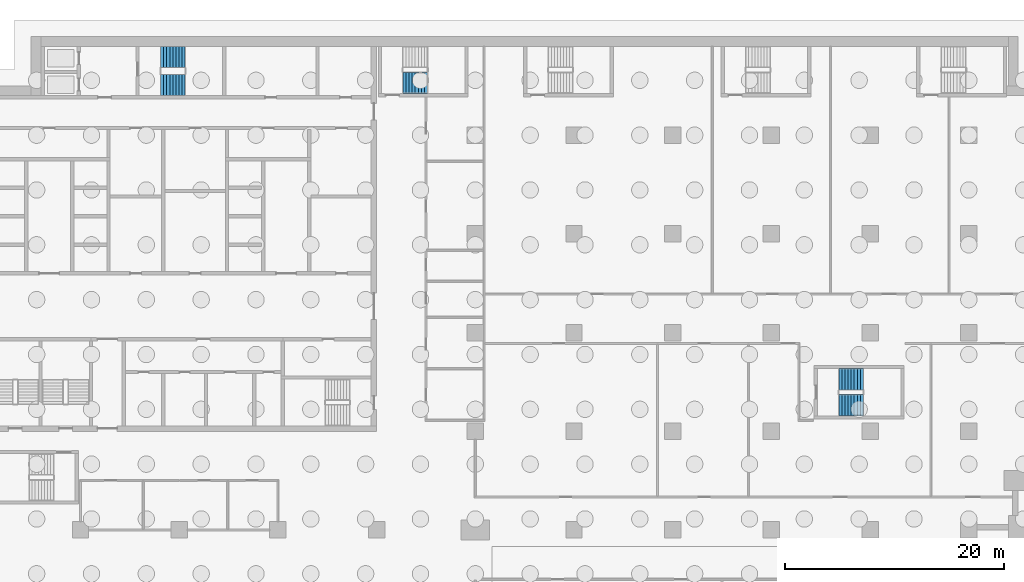
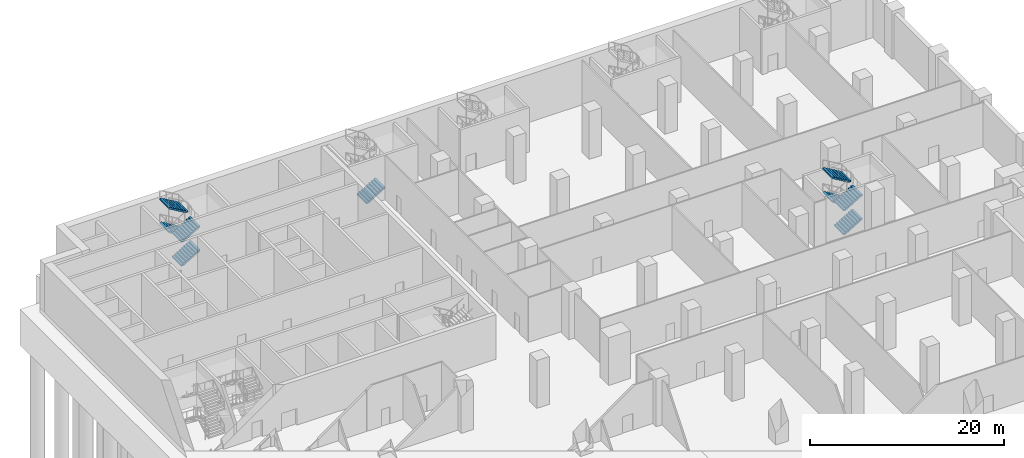
# One storey, part 14 of 25: 9 stair flights, 3 elements without a shape of their own.
"""IFC4 building model written with IfcOpenShell, lengths in metres."""

from ifc_helpers import new_model, si_unit, direction, frame, origin, place, context, subcontext, project, spatial, polyline, outline, extrude, material, type_object, element, aggregate, save


model = new_model("IFC4")

# Units and contexts
model_context = context("Model", 3, precision=1e-05, world=origin(), true_north=direction((0.0, 1.0)))
body_context = subcontext(model_context, "Body", "Model", "MODEL_VIEW")
ifc_project = project(units=[si_unit("LENGTHUNIT", "METRE"), si_unit("AREAUNIT", "SQUARE_METRE"), si_unit("VOLUMEUNIT", "CUBIC_METRE"), si_unit("PLANEANGLEUNIT", "RADIAN"), si_unit("MASSUNIT", "GRAM", prefix="KILO")], contexts=[model_context])

# Site, building, storey
site_placement = place(None, origin())
site = spatial("IfcSite", under=ifc_project, at=site_placement, CompositionType="ELEMENT")
building_placement = place(site_placement, origin())
building = spatial("IfcBuilding", under=site, at=building_placement, Name="Hunhe Ridgeline Campus", CompositionType="ELEMENT")
storey_placement = place(building_placement, frame((0.0, 0.0, -6.0)))
storey = spatial("IfcBuildingStorey", under=building, at=storey_placement, Name="B1", CompositionType="ELEMENT", Elevation=-6.0)

# Stair, stair flights
ifc_material = material(Name="Concrete C40", Category="concrete")
stair_type = type_object("IfcStairType", Name="Reinforced concrete dog-leg stair 1950 Concrete C40", PredefinedType="HALF_TURN_STAIR", material=ifc_material)
stair_1_placement = place(storey_placement, origin())
stair_1 = element("IfcStair", 1, at=stair_1_placement, inside=storey, type_object=stair_type, Name="B1 S1", PredefinedType="HALF_TURN_STAIR")
stair_flight_type = type_object("IfcStairFlightType", Name="Reinforced concrete stair flight 1950 Concrete C40", PredefinedType="STRAIGHT", material=ifc_material)
stair_flight_1_placement = place(storey_placement, frame((16.300048828125, 94.574951171875, 0.0), z_axis=(0.0, 0.0, 1.0), x_axis=(1.0, 0.0, 0.0)))
stair_flight_1 = element("IfcStairFlight", 2, at=stair_flight_1_placement, type_object=stair_flight_type, Name="ST1 flight 1", NumberOfRisers=9, NumberOfTreads=8, PredefinedType="STRAIGHT", RiserHeight=0.166666667, TreadLength=0.28, context=body_context, shape_type="SweptSolid", body=[
    extrude(outline(polyline([(0.0, 0.0), (0.0, 0.166748046875), (0.280029296875, 0.166748046875), (0.280029296875, 0.333251953125), (0.56005859375, 0.333251953125), (0.56005859375, 0.5), (0.840087890625, 0.5), (0.840087890625, 0.666748046875), (1.1201171875, 0.666748046875), (1.1201171875, 0.833251953125), (1.39990234375, 0.833251953125), (1.39990234375, 1.0), (1.679931640625, 1.0), (1.679931640625, 1.166748046875), (1.9599609375, 1.166748046875), (1.9599609375, 1.333251953125), (2.239990234375, 1.333251953125), (2.239990234375, 1.5), (2.239990234375, 1.158935546875), (0.29296875, 0.0), (0.0, 0.0)])), frame((0.0, 0.97509765625, 0.0), z_axis=(0.0, -1.0, 0.0), x_axis=(1.0, 0.0, 0.0)), (0.0, 0.0, 1.0), 1.949951171875),
    extrude(outline(polyline([(0.030029296875, 0.030029296875), (0.030029296875, 0.13671875), (0.31005859375, 0.13671875), (0.31005859375, 0.30322265625), (0.590087890625, 0.30322265625), (0.590087890625, 0.469970703125), (0.8701171875, 0.469970703125), (0.8701171875, 0.63671875), (1.14990234375, 0.63671875), (1.14990234375, 0.80322265625), (1.429931640625, 0.80322265625), (1.429931640625, 0.969970703125), (1.7099609375, 0.969970703125), (1.7099609375, 1.13671875), (1.989990234375, 1.13671875), (1.989990234375, 1.30322265625), (2.2099609375, 1.30322265625), (2.2099609375, 1.17578125), (0.284912109375, 0.030029296875), (0.030029296875, 0.030029296875)])), frame((0.0, -0.070068359375, 0.0), z_axis=(0.0, -1.0, 0.0), x_axis=(1.0, 0.0, 0.0)), (0.0, 0.0, 1.0), 0.019775390625),
    extrude(outline(polyline([(0.030029296875, 0.030029296875), (0.030029296875, 0.13671875), (0.31005859375, 0.13671875), (0.31005859375, 0.30322265625), (0.590087890625, 0.30322265625), (0.590087890625, 0.469970703125), (0.8701171875, 0.469970703125), (0.8701171875, 0.63671875), (1.14990234375, 0.63671875), (1.14990234375, 0.80322265625), (1.429931640625, 0.80322265625), (1.429931640625, 0.969970703125), (1.7099609375, 0.969970703125), (1.7099609375, 1.13671875), (1.989990234375, 1.13671875), (1.989990234375, 1.30322265625), (2.2099609375, 1.30322265625), (2.2099609375, 1.17578125), (0.284912109375, 0.030029296875), (0.030029296875, 0.030029296875)])), frame((0.0, 0.010009765625, 0.0), z_axis=(0.0, -1.0, 0.0), x_axis=(1.0, 0.0, 0.0)), (0.0, 0.0, 1.0), 0.019775390625),
    extrude(outline(polyline([(0.030029296875, 0.030029296875), (0.030029296875, 0.13671875), (0.31005859375, 0.13671875), (0.31005859375, 0.30322265625), (0.590087890625, 0.30322265625), (0.590087890625, 0.469970703125), (0.8701171875, 0.469970703125), (0.8701171875, 0.63671875), (1.14990234375, 0.63671875), (1.14990234375, 0.80322265625), (1.429931640625, 0.80322265625), (1.429931640625, 0.969970703125), (1.7099609375, 0.969970703125), (1.7099609375, 1.13671875), (1.989990234375, 1.13671875), (1.989990234375, 1.30322265625), (2.2099609375, 1.30322265625), (2.2099609375, 1.17578125), (0.284912109375, 0.030029296875), (0.030029296875, 0.030029296875)])), frame((0.0, 0.090087890625, 0.0), z_axis=(0.0, -1.0, 0.0), x_axis=(1.0, 0.0, 0.0)), (0.0, 0.0, 1.0), 0.019775390625),
])
stair_flight_2_placement = place(storey_placement, frame((18.5400390625, 97.125, 1.5), z_axis=(0.0, 0.0, 1.0), x_axis=(-1.0, 0.0, 0.0)))
stair_flight_2 = element("IfcStairFlight", 3, at=stair_flight_2_placement, type_object=stair_flight_type, Name="ST1 flight 2", NumberOfRisers=9, NumberOfTreads=8, PredefinedType="STRAIGHT", RiserHeight=0.166666667, TreadLength=0.28, context=body_context, shape_type="SweptSolid", body=[
    extrude(outline(polyline([(0.0, 0.0), (0.0, 0.166748046875), (0.280029296875, 0.166748046875), (0.280029296875, 0.333251953125), (0.56005859375, 0.333251953125), (0.56005859375, 0.5), (0.840087890625, 0.5), (0.840087890625, 0.666748046875), (1.1201171875, 0.666748046875), (1.1201171875, 0.833251953125), (1.39990234375, 0.833251953125), (1.39990234375, 1.0), (1.679931640625, 1.0), (1.679931640625, 1.166748046875), (1.9599609375, 1.166748046875), (1.9599609375, 1.333251953125), (2.239990234375, 1.333251953125), (2.239990234375, 1.5), (2.239990234375, 1.158935546875), (0.29296875, 0.0), (0.0, 0.0)])), frame((0.0, 0.97509765625, 0.0), z_axis=(0.0, -1.0, 0.0), x_axis=(1.0, 0.0, 0.0)), (0.0, 0.0, 1.0), 1.949951171875),
    extrude(outline(polyline([(0.030029296875, 0.030029296875), (0.030029296875, 0.13671875), (0.31005859375, 0.13671875), (0.31005859375, 0.30322265625), (0.590087890625, 0.30322265625), (0.590087890625, 0.469970703125), (0.8701171875, 0.469970703125), (0.8701171875, 0.63671875), (1.14990234375, 0.63671875), (1.14990234375, 0.80322265625), (1.429931640625, 0.80322265625), (1.429931640625, 0.969970703125), (1.7099609375, 0.969970703125), (1.7099609375, 1.13671875), (1.989990234375, 1.13671875), (1.989990234375, 1.30322265625), (2.2099609375, 1.30322265625), (2.2099609375, 1.17578125), (0.284912109375, 0.030029296875), (0.030029296875, 0.030029296875)])), frame((0.0, -0.070068359375, 0.0), z_axis=(0.0, -1.0, 0.0), x_axis=(1.0, 0.0, 0.0)), (0.0, 0.0, 1.0), 0.019775390625),
    extrude(outline(polyline([(0.030029296875, 0.030029296875), (0.030029296875, 0.13671875), (0.31005859375, 0.13671875), (0.31005859375, 0.30322265625), (0.590087890625, 0.30322265625), (0.590087890625, 0.469970703125), (0.8701171875, 0.469970703125), (0.8701171875, 0.63671875), (1.14990234375, 0.63671875), (1.14990234375, 0.80322265625), (1.429931640625, 0.80322265625), (1.429931640625, 0.969970703125), (1.7099609375, 0.969970703125), (1.7099609375, 1.13671875), (1.989990234375, 1.13671875), (1.989990234375, 1.30322265625), (2.2099609375, 1.30322265625), (2.2099609375, 1.17578125), (0.284912109375, 0.030029296875), (0.030029296875, 0.030029296875)])), frame((0.0, 0.010009765625, 0.0), z_axis=(0.0, -1.0, 0.0), x_axis=(1.0, 0.0, 0.0)), (0.0, 0.0, 1.0), 0.019775390625),
    extrude(outline(polyline([(0.030029296875, 0.030029296875), (0.030029296875, 0.13671875), (0.31005859375, 0.13671875), (0.31005859375, 0.30322265625), (0.590087890625, 0.30322265625), (0.590087890625, 0.469970703125), (0.8701171875, 0.469970703125), (0.8701171875, 0.63671875), (1.14990234375, 0.63671875), (1.14990234375, 0.80322265625), (1.429931640625, 0.80322265625), (1.429931640625, 0.969970703125), (1.7099609375, 0.969970703125), (1.7099609375, 1.13671875), (1.989990234375, 1.13671875), (1.989990234375, 1.30322265625), (2.2099609375, 1.30322265625), (2.2099609375, 1.17578125), (0.284912109375, 0.030029296875), (0.030029296875, 0.030029296875)])), frame((0.0, 0.090087890625, 0.0), z_axis=(0.0, -1.0, 0.0), x_axis=(1.0, 0.0, 0.0)), (0.0, 0.0, 1.0), 0.019775390625),
])
stair_flight_3_placement = place(storey_placement, frame((16.300048828125, 94.574951171875, 3.0), z_axis=(0.0, 0.0, 1.0), x_axis=(1.0, 0.0, 0.0)))
stair_flight_3 = element("IfcStairFlight", 4, at=stair_flight_3_placement, type_object=stair_flight_type, Name="ST1 flight 3", NumberOfRisers=9, NumberOfTreads=8, PredefinedType="STRAIGHT", RiserHeight=0.166666667, TreadLength=0.28, context=body_context, shape_type="SweptSolid", body=[
    extrude(outline(polyline([(0.0, 0.0), (0.0, 0.166748046875), (0.280029296875, 0.166748046875), (0.280029296875, 0.333251953125), (0.56005859375, 0.333251953125), (0.56005859375, 0.5), (0.840087890625, 0.5), (0.840087890625, 0.666748046875), (1.1201171875, 0.666748046875), (1.1201171875, 0.833251953125), (1.39990234375, 0.833251953125), (1.39990234375, 1.0), (1.679931640625, 1.0), (1.679931640625, 1.166748046875), (1.9599609375, 1.166748046875), (1.9599609375, 1.333251953125), (2.239990234375, 1.333251953125), (2.239990234375, 1.5), (2.239990234375, 1.158935546875), (0.29296875, 0.0), (0.0, 0.0)])), frame((0.0, 0.97509765625, 0.0), z_axis=(0.0, -1.0, 0.0), x_axis=(1.0, 0.0, 0.0)), (0.0, 0.0, 1.0), 1.949951171875),
    extrude(outline(polyline([(0.030029296875, 0.030029296875), (0.030029296875, 0.13671875), (0.31005859375, 0.13671875), (0.31005859375, 0.30322265625), (0.590087890625, 0.30322265625), (0.590087890625, 0.469970703125), (0.8701171875, 0.469970703125), (0.8701171875, 0.63671875), (1.14990234375, 0.63671875), (1.14990234375, 0.80322265625), (1.429931640625, 0.80322265625), (1.429931640625, 0.969970703125), (1.7099609375, 0.969970703125), (1.7099609375, 1.13671875), (1.989990234375, 1.13671875), (1.989990234375, 1.30322265625), (2.2099609375, 1.30322265625), (2.2099609375, 1.17578125), (0.284912109375, 0.030029296875), (0.030029296875, 0.030029296875)])), frame((0.0, -0.070068359375, 0.0), z_axis=(0.0, -1.0, 0.0), x_axis=(1.0, 0.0, 0.0)), (0.0, 0.0, 1.0), 0.019775390625),
    extrude(outline(polyline([(0.030029296875, 0.030029296875), (0.030029296875, 0.13671875), (0.31005859375, 0.13671875), (0.31005859375, 0.30322265625), (0.590087890625, 0.30322265625), (0.590087890625, 0.469970703125), (0.8701171875, 0.469970703125), (0.8701171875, 0.63671875), (1.14990234375, 0.63671875), (1.14990234375, 0.80322265625), (1.429931640625, 0.80322265625), (1.429931640625, 0.969970703125), (1.7099609375, 0.969970703125), (1.7099609375, 1.13671875), (1.989990234375, 1.13671875), (1.989990234375, 1.30322265625), (2.2099609375, 1.30322265625), (2.2099609375, 1.17578125), (0.284912109375, 0.030029296875), (0.030029296875, 0.030029296875)])), frame((0.0, 0.010009765625, 0.0), z_axis=(0.0, -1.0, 0.0), x_axis=(1.0, 0.0, 0.0)), (0.0, 0.0, 1.0), 0.019775390625),
    extrude(outline(polyline([(0.030029296875, 0.030029296875), (0.030029296875, 0.13671875), (0.31005859375, 0.13671875), (0.31005859375, 0.30322265625), (0.590087890625, 0.30322265625), (0.590087890625, 0.469970703125), (0.8701171875, 0.469970703125), (0.8701171875, 0.63671875), (1.14990234375, 0.63671875), (1.14990234375, 0.80322265625), (1.429931640625, 0.80322265625), (1.429931640625, 0.969970703125), (1.7099609375, 0.969970703125), (1.7099609375, 1.13671875), (1.989990234375, 1.13671875), (1.989990234375, 1.30322265625), (2.2099609375, 1.30322265625), (2.2099609375, 1.17578125), (0.284912109375, 0.030029296875), (0.030029296875, 0.030029296875)])), frame((0.0, 0.090087890625, 0.0), z_axis=(0.0, -1.0, 0.0), x_axis=(1.0, 0.0, 0.0)), (0.0, 0.0, 1.0), 0.019775390625),
])
stair_flight_4_placement = place(storey_placement, frame((18.5400390625, 97.125, 4.5), z_axis=(0.0, 0.0, 1.0), x_axis=(-1.0, 0.0, 0.0)))
stair_flight_4 = element("IfcStairFlight", 5, at=stair_flight_4_placement, type_object=stair_flight_type, Name="ST1 flight 4", NumberOfRisers=9, NumberOfTreads=8, PredefinedType="STRAIGHT", RiserHeight=0.166666667, TreadLength=0.28, context=body_context, shape_type="SweptSolid", body=[
    extrude(outline(polyline([(0.0, 0.0), (0.0, 0.166748046875), (0.280029296875, 0.166748046875), (0.280029296875, 0.333251953125), (0.56005859375, 0.333251953125), (0.56005859375, 0.5), (0.840087890625, 0.5), (0.840087890625, 0.666748046875), (1.1201171875, 0.666748046875), (1.1201171875, 0.833251953125), (1.39990234375, 0.833251953125), (1.39990234375, 1.0), (1.679931640625, 1.0), (1.679931640625, 1.166748046875), (1.9599609375, 1.166748046875), (1.9599609375, 1.333251953125), (2.239990234375, 1.333251953125), (2.239990234375, 1.5), (2.239990234375, 1.158935546875), (0.29296875, 0.0), (0.0, 0.0)])), frame((0.0, 0.97509765625, 0.0), z_axis=(0.0, -1.0, 0.0), x_axis=(1.0, 0.0, 0.0)), (0.0, 0.0, 1.0), 1.949951171875),
    extrude(outline(polyline([(0.030029296875, 0.030029296875), (0.030029296875, 0.13671875), (0.31005859375, 0.13671875), (0.31005859375, 0.30322265625), (0.590087890625, 0.30322265625), (0.590087890625, 0.469970703125), (0.8701171875, 0.469970703125), (0.8701171875, 0.63671875), (1.14990234375, 0.63671875), (1.14990234375, 0.80322265625), (1.429931640625, 0.80322265625), (1.429931640625, 0.969970703125), (1.7099609375, 0.969970703125), (1.7099609375, 1.13671875), (1.989990234375, 1.13671875), (1.989990234375, 1.30322265625), (2.2099609375, 1.30322265625), (2.2099609375, 1.17578125), (0.284912109375, 0.030029296875), (0.030029296875, 0.030029296875)])), frame((0.0, -0.070068359375, 0.0), z_axis=(0.0, -1.0, 0.0), x_axis=(1.0, 0.0, 0.0)), (0.0, 0.0, 1.0), 0.019775390625),
    extrude(outline(polyline([(0.030029296875, 0.030029296875), (0.030029296875, 0.13671875), (0.31005859375, 0.13671875), (0.31005859375, 0.30322265625), (0.590087890625, 0.30322265625), (0.590087890625, 0.469970703125), (0.8701171875, 0.469970703125), (0.8701171875, 0.63671875), (1.14990234375, 0.63671875), (1.14990234375, 0.80322265625), (1.429931640625, 0.80322265625), (1.429931640625, 0.969970703125), (1.7099609375, 0.969970703125), (1.7099609375, 1.13671875), (1.989990234375, 1.13671875), (1.989990234375, 1.30322265625), (2.2099609375, 1.30322265625), (2.2099609375, 1.17578125), (0.284912109375, 0.030029296875), (0.030029296875, 0.030029296875)])), frame((0.0, 0.010009765625, 0.0), z_axis=(0.0, -1.0, 0.0), x_axis=(1.0, 0.0, 0.0)), (0.0, 0.0, 1.0), 0.019775390625),
    extrude(outline(polyline([(0.030029296875, 0.030029296875), (0.030029296875, 0.13671875), (0.31005859375, 0.13671875), (0.31005859375, 0.30322265625), (0.590087890625, 0.30322265625), (0.590087890625, 0.469970703125), (0.8701171875, 0.469970703125), (0.8701171875, 0.63671875), (1.14990234375, 0.63671875), (1.14990234375, 0.80322265625), (1.429931640625, 0.80322265625), (1.429931640625, 0.969970703125), (1.7099609375, 0.969970703125), (1.7099609375, 1.13671875), (1.989990234375, 1.13671875), (1.989990234375, 1.30322265625), (2.2099609375, 1.30322265625), (2.2099609375, 1.17578125), (0.284912109375, 0.030029296875), (0.030029296875, 0.030029296875)])), frame((0.0, 0.090087890625, 0.0), z_axis=(0.0, -1.0, 0.0), x_axis=(1.0, 0.0, 0.0)), (0.0, 0.0, 1.0), 0.019775390625),
])
aggregate(stair_1, [stair_flight_1, stair_flight_2, stair_flight_3, stair_flight_4])

# Stair, stair flight
stair_2_placement = place(storey_placement, origin())
stair_2 = element("IfcStair", 6, at=stair_2_placement, inside=storey, type_object=stair_type, Name="B1 E1", PredefinedType="HALF_TURN_STAIR")
stair_flight_5_placement = place(storey_placement, frame((38.39990234375, 94.77490234375, 0.0), z_axis=(0.0, 0.0, 1.0), x_axis=(1.0, 0.0, 0.0)))
stair_flight_5 = element("IfcStairFlight", 7, at=stair_flight_5_placement, type_object=stair_flight_type, Name="ST5 flight 1", NumberOfRisers=9, NumberOfTreads=8, PredefinedType="STRAIGHT", RiserHeight=0.166666667, TreadLength=0.28, context=body_context, shape_type="SweptSolid", body=[
    extrude(outline(polyline([(0.0, 0.0), (0.0, 0.166748046875), (0.280029296875, 0.166748046875), (0.280029296875, 0.333251953125), (0.56005859375, 0.333251953125), (0.56005859375, 0.5), (0.840087890625, 0.5), (0.840087890625, 0.666748046875), (1.1201171875, 0.666748046875), (1.1201171875, 0.833251953125), (1.39990234375, 0.833251953125), (1.39990234375, 1.0), (1.679931640625, 1.0), (1.679931640625, 1.166748046875), (1.9599609375, 1.166748046875), (1.9599609375, 1.333251953125), (2.239990234375, 1.333251953125), (2.239990234375, 1.5), (2.239990234375, 1.158935546875), (0.29296875, 0.0), (0.0, 0.0)])), frame((0.0, 0.97509765625, 0.0), z_axis=(0.0, -1.0, 0.0), x_axis=(1.0, 0.0, 0.0)), (0.0, 0.0, 1.0), 1.949951171875),
    extrude(outline(polyline([(0.030029296875, 0.030029296875), (0.030029296875, 0.13671875), (0.31005859375, 0.13671875), (0.31005859375, 0.30322265625), (0.590087890625, 0.30322265625), (0.590087890625, 0.469970703125), (0.8701171875, 0.469970703125), (0.8701171875, 0.63671875), (1.14990234375, 0.63671875), (1.14990234375, 0.80322265625), (1.429931640625, 0.80322265625), (1.429931640625, 0.969970703125), (1.7099609375, 0.969970703125), (1.7099609375, 1.13671875), (1.989990234375, 1.13671875), (1.989990234375, 1.30322265625), (2.2099609375, 1.30322265625), (2.2099609375, 1.17578125), (0.284912109375, 0.030029296875), (0.030029296875, 0.030029296875)])), frame((0.0, -0.070068359375, 0.0), z_axis=(0.0, -1.0, 0.0), x_axis=(1.0, 0.0, 0.0)), (0.0, 0.0, 1.0), 0.019775390625),
    extrude(outline(polyline([(0.030029296875, 0.030029296875), (0.030029296875, 0.13671875), (0.31005859375, 0.13671875), (0.31005859375, 0.30322265625), (0.590087890625, 0.30322265625), (0.590087890625, 0.469970703125), (0.8701171875, 0.469970703125), (0.8701171875, 0.63671875), (1.14990234375, 0.63671875), (1.14990234375, 0.80322265625), (1.429931640625, 0.80322265625), (1.429931640625, 0.969970703125), (1.7099609375, 0.969970703125), (1.7099609375, 1.13671875), (1.989990234375, 1.13671875), (1.989990234375, 1.30322265625), (2.2099609375, 1.30322265625), (2.2099609375, 1.17578125), (0.284912109375, 0.030029296875), (0.030029296875, 0.030029296875)])), frame((0.0, 0.010009765625, 0.0), z_axis=(0.0, -1.0, 0.0), x_axis=(1.0, 0.0, 0.0)), (0.0, 0.0, 1.0), 0.019775390625),
    extrude(outline(polyline([(0.030029296875, 0.030029296875), (0.030029296875, 0.13671875), (0.31005859375, 0.13671875), (0.31005859375, 0.30322265625), (0.590087890625, 0.30322265625), (0.590087890625, 0.469970703125), (0.8701171875, 0.469970703125), (0.8701171875, 0.63671875), (1.14990234375, 0.63671875), (1.14990234375, 0.80322265625), (1.429931640625, 0.80322265625), (1.429931640625, 0.969970703125), (1.7099609375, 0.969970703125), (1.7099609375, 1.13671875), (1.989990234375, 1.13671875), (1.989990234375, 1.30322265625), (2.2099609375, 1.30322265625), (2.2099609375, 1.17578125), (0.284912109375, 0.030029296875), (0.030029296875, 0.030029296875)])), frame((0.0, 0.090087890625, 0.0), z_axis=(0.0, -1.0, 0.0), x_axis=(1.0, 0.0, 0.0)), (0.0, 0.0, 1.0), 0.019775390625),
])
aggregate(stair_2, [stair_flight_5])

# Stair, stair flights
stair_3_placement = place(storey_placement, origin())
stair_3 = element("IfcStair", 8, at=stair_3_placement, inside=storey, type_object=stair_type, Name="B1 E5", PredefinedType="HALF_TURN_STAIR")
stair_flight_6_placement = place(storey_placement, frame((78.14990234375, 65.375, 0.0), z_axis=(0.0, 0.0, 1.0), x_axis=(1.0, 0.0, 0.0)))
stair_flight_6 = element("IfcStairFlight", 9, at=stair_flight_6_placement, type_object=stair_flight_type, Name="ST10 flight 1", NumberOfRisers=9, NumberOfTreads=8, PredefinedType="STRAIGHT", RiserHeight=0.166666667, TreadLength=0.28, context=body_context, shape_type="SweptSolid", body=[
    extrude(outline(polyline([(0.0, 0.0), (0.0, 0.166748046875), (0.280029296875, 0.166748046875), (0.280029296875, 0.333251953125), (0.56005859375, 0.333251953125), (0.56005859375, 0.5), (0.840087890625, 0.5), (0.840087890625, 0.666748046875), (1.1201171875, 0.666748046875), (1.1201171875, 0.833251953125), (1.39990234375, 0.833251953125), (1.39990234375, 1.0), (1.679931640625, 1.0), (1.679931640625, 1.166748046875), (1.9599609375, 1.166748046875), (1.9599609375, 1.333251953125), (2.239990234375, 1.333251953125), (2.239990234375, 1.5), (2.239990234375, 1.158935546875), (0.29296875, 0.0), (0.0, 0.0)])), frame((0.0, 0.97509765625, 0.0), z_axis=(0.0, -1.0, 0.0), x_axis=(1.0, 0.0, 0.0)), (0.0, 0.0, 1.0), 1.949951171875),
    extrude(outline(polyline([(0.030029296875, 0.030029296875), (0.030029296875, 0.13671875), (0.31005859375, 0.13671875), (0.31005859375, 0.30322265625), (0.590087890625, 0.30322265625), (0.590087890625, 0.469970703125), (0.8701171875, 0.469970703125), (0.8701171875, 0.63671875), (1.14990234375, 0.63671875), (1.14990234375, 0.80322265625), (1.429931640625, 0.80322265625), (1.429931640625, 0.969970703125), (1.7099609375, 0.969970703125), (1.7099609375, 1.13671875), (1.989990234375, 1.13671875), (1.989990234375, 1.30322265625), (2.2099609375, 1.30322265625), (2.2099609375, 1.17578125), (0.284912109375, 0.030029296875), (0.030029296875, 0.030029296875)])), frame((0.0, -0.070068359375, 0.0), z_axis=(0.0, -1.0, 0.0), x_axis=(1.0, 0.0, 0.0)), (0.0, 0.0, 1.0), 0.019775390625),
    extrude(outline(polyline([(0.030029296875, 0.030029296875), (0.030029296875, 0.13671875), (0.31005859375, 0.13671875), (0.31005859375, 0.30322265625), (0.590087890625, 0.30322265625), (0.590087890625, 0.469970703125), (0.8701171875, 0.469970703125), (0.8701171875, 0.63671875), (1.14990234375, 0.63671875), (1.14990234375, 0.80322265625), (1.429931640625, 0.80322265625), (1.429931640625, 0.969970703125), (1.7099609375, 0.969970703125), (1.7099609375, 1.13671875), (1.989990234375, 1.13671875), (1.989990234375, 1.30322265625), (2.2099609375, 1.30322265625), (2.2099609375, 1.17578125), (0.284912109375, 0.030029296875), (0.030029296875, 0.030029296875)])), frame((0.0, 0.010009765625, 0.0), z_axis=(0.0, -1.0, 0.0), x_axis=(1.0, 0.0, 0.0)), (0.0, 0.0, 1.0), 0.019775390625),
    extrude(outline(polyline([(0.030029296875, 0.030029296875), (0.030029296875, 0.13671875), (0.31005859375, 0.13671875), (0.31005859375, 0.30322265625), (0.590087890625, 0.30322265625), (0.590087890625, 0.469970703125), (0.8701171875, 0.469970703125), (0.8701171875, 0.63671875), (1.14990234375, 0.63671875), (1.14990234375, 0.80322265625), (1.429931640625, 0.80322265625), (1.429931640625, 0.969970703125), (1.7099609375, 0.969970703125), (1.7099609375, 1.13671875), (1.989990234375, 1.13671875), (1.989990234375, 1.30322265625), (2.2099609375, 1.30322265625), (2.2099609375, 1.17578125), (0.284912109375, 0.030029296875), (0.030029296875, 0.030029296875)])), frame((0.0, 0.090087890625, 0.0), z_axis=(0.0, -1.0, 0.0), x_axis=(1.0, 0.0, 0.0)), (0.0, 0.0, 1.0), 0.019775390625),
])
stair_flight_7_placement = place(storey_placement, frame((80.389892578125, 67.72509765625, 1.5), z_axis=(0.0, 0.0, 1.0), x_axis=(-1.0, 0.0, 0.0)))
stair_flight_7 = element("IfcStairFlight", 10, at=stair_flight_7_placement, type_object=stair_flight_type, Name="ST10 flight 2", NumberOfRisers=9, NumberOfTreads=8, PredefinedType="STRAIGHT", RiserHeight=0.166666667, TreadLength=0.28, context=body_context, shape_type="SweptSolid", body=[
    extrude(outline(polyline([(0.0, 0.0), (0.0, 0.166748046875), (0.280029296875, 0.166748046875), (0.280029296875, 0.333251953125), (0.56005859375, 0.333251953125), (0.56005859375, 0.5), (0.840087890625, 0.5), (0.840087890625, 0.666748046875), (1.1201171875, 0.666748046875), (1.1201171875, 0.833251953125), (1.39990234375, 0.833251953125), (1.39990234375, 1.0), (1.679931640625, 1.0), (1.679931640625, 1.166748046875), (1.9599609375, 1.166748046875), (1.9599609375, 1.333251953125), (2.239990234375, 1.333251953125), (2.239990234375, 1.5), (2.239990234375, 1.158935546875), (0.29296875, 0.0), (0.0, 0.0)])), frame((0.0, 0.97509765625, 0.0), z_axis=(0.0, -1.0, 0.0), x_axis=(1.0, 0.0, 0.0)), (0.0, 0.0, 1.0), 1.949951171875),
    extrude(outline(polyline([(0.030029296875, 0.030029296875), (0.030029296875, 0.13671875), (0.31005859375, 0.13671875), (0.31005859375, 0.30322265625), (0.590087890625, 0.30322265625), (0.590087890625, 0.469970703125), (0.8701171875, 0.469970703125), (0.8701171875, 0.63671875), (1.14990234375, 0.63671875), (1.14990234375, 0.80322265625), (1.429931640625, 0.80322265625), (1.429931640625, 0.969970703125), (1.7099609375, 0.969970703125), (1.7099609375, 1.13671875), (1.989990234375, 1.13671875), (1.989990234375, 1.30322265625), (2.2099609375, 1.30322265625), (2.2099609375, 1.17578125), (0.284912109375, 0.030029296875), (0.030029296875, 0.030029296875)])), frame((0.0, -0.070068359375, 0.0), z_axis=(0.0, -1.0, 0.0), x_axis=(1.0, 0.0, 0.0)), (0.0, 0.0, 1.0), 0.019775390625),
    extrude(outline(polyline([(0.030029296875, 0.030029296875), (0.030029296875, 0.13671875), (0.31005859375, 0.13671875), (0.31005859375, 0.30322265625), (0.590087890625, 0.30322265625), (0.590087890625, 0.469970703125), (0.8701171875, 0.469970703125), (0.8701171875, 0.63671875), (1.14990234375, 0.63671875), (1.14990234375, 0.80322265625), (1.429931640625, 0.80322265625), (1.429931640625, 0.969970703125), (1.7099609375, 0.969970703125), (1.7099609375, 1.13671875), (1.989990234375, 1.13671875), (1.989990234375, 1.30322265625), (2.2099609375, 1.30322265625), (2.2099609375, 1.17578125), (0.284912109375, 0.030029296875), (0.030029296875, 0.030029296875)])), frame((0.0, 0.010009765625, 0.0), z_axis=(0.0, -1.0, 0.0), x_axis=(1.0, 0.0, 0.0)), (0.0, 0.0, 1.0), 0.019775390625),
    extrude(outline(polyline([(0.030029296875, 0.030029296875), (0.030029296875, 0.13671875), (0.31005859375, 0.13671875), (0.31005859375, 0.30322265625), (0.590087890625, 0.30322265625), (0.590087890625, 0.469970703125), (0.8701171875, 0.469970703125), (0.8701171875, 0.63671875), (1.14990234375, 0.63671875), (1.14990234375, 0.80322265625), (1.429931640625, 0.80322265625), (1.429931640625, 0.969970703125), (1.7099609375, 0.969970703125), (1.7099609375, 1.13671875), (1.989990234375, 1.13671875), (1.989990234375, 1.30322265625), (2.2099609375, 1.30322265625), (2.2099609375, 1.17578125), (0.284912109375, 0.030029296875), (0.030029296875, 0.030029296875)])), frame((0.0, 0.090087890625, 0.0), z_axis=(0.0, -1.0, 0.0), x_axis=(1.0, 0.0, 0.0)), (0.0, 0.0, 1.0), 0.019775390625),
])
stair_flight_8_placement = place(storey_placement, frame((78.14990234375, 65.375, 3.0), z_axis=(0.0, 0.0, 1.0), x_axis=(1.0, 0.0, 0.0)))
stair_flight_8 = element("IfcStairFlight", 11, at=stair_flight_8_placement, type_object=stair_flight_type, Name="ST10 flight 3", NumberOfRisers=9, NumberOfTreads=8, PredefinedType="STRAIGHT", RiserHeight=0.166666667, TreadLength=0.28, context=body_context, shape_type="SweptSolid", body=[
    extrude(outline(polyline([(0.0, 0.0), (0.0, 0.166748046875), (0.280029296875, 0.166748046875), (0.280029296875, 0.333251953125), (0.56005859375, 0.333251953125), (0.56005859375, 0.5), (0.840087890625, 0.5), (0.840087890625, 0.666748046875), (1.1201171875, 0.666748046875), (1.1201171875, 0.833251953125), (1.39990234375, 0.833251953125), (1.39990234375, 1.0), (1.679931640625, 1.0), (1.679931640625, 1.166748046875), (1.9599609375, 1.166748046875), (1.9599609375, 1.333251953125), (2.239990234375, 1.333251953125), (2.239990234375, 1.5), (2.239990234375, 1.158935546875), (0.29296875, 0.0), (0.0, 0.0)])), frame((0.0, 0.97509765625, 0.0), z_axis=(0.0, -1.0, 0.0), x_axis=(1.0, 0.0, 0.0)), (0.0, 0.0, 1.0), 1.949951171875),
    extrude(outline(polyline([(0.030029296875, 0.030029296875), (0.030029296875, 0.13671875), (0.31005859375, 0.13671875), (0.31005859375, 0.30322265625), (0.590087890625, 0.30322265625), (0.590087890625, 0.469970703125), (0.8701171875, 0.469970703125), (0.8701171875, 0.63671875), (1.14990234375, 0.63671875), (1.14990234375, 0.80322265625), (1.429931640625, 0.80322265625), (1.429931640625, 0.969970703125), (1.7099609375, 0.969970703125), (1.7099609375, 1.13671875), (1.989990234375, 1.13671875), (1.989990234375, 1.30322265625), (2.2099609375, 1.30322265625), (2.2099609375, 1.17578125), (0.284912109375, 0.030029296875), (0.030029296875, 0.030029296875)])), frame((0.0, -0.070068359375, 0.0), z_axis=(0.0, -1.0, 0.0), x_axis=(1.0, 0.0, 0.0)), (0.0, 0.0, 1.0), 0.019775390625),
    extrude(outline(polyline([(0.030029296875, 0.030029296875), (0.030029296875, 0.13671875), (0.31005859375, 0.13671875), (0.31005859375, 0.30322265625), (0.590087890625, 0.30322265625), (0.590087890625, 0.469970703125), (0.8701171875, 0.469970703125), (0.8701171875, 0.63671875), (1.14990234375, 0.63671875), (1.14990234375, 0.80322265625), (1.429931640625, 0.80322265625), (1.429931640625, 0.969970703125), (1.7099609375, 0.969970703125), (1.7099609375, 1.13671875), (1.989990234375, 1.13671875), (1.989990234375, 1.30322265625), (2.2099609375, 1.30322265625), (2.2099609375, 1.17578125), (0.284912109375, 0.030029296875), (0.030029296875, 0.030029296875)])), frame((0.0, 0.010009765625, 0.0), z_axis=(0.0, -1.0, 0.0), x_axis=(1.0, 0.0, 0.0)), (0.0, 0.0, 1.0), 0.019775390625),
    extrude(outline(polyline([(0.030029296875, 0.030029296875), (0.030029296875, 0.13671875), (0.31005859375, 0.13671875), (0.31005859375, 0.30322265625), (0.590087890625, 0.30322265625), (0.590087890625, 0.469970703125), (0.8701171875, 0.469970703125), (0.8701171875, 0.63671875), (1.14990234375, 0.63671875), (1.14990234375, 0.80322265625), (1.429931640625, 0.80322265625), (1.429931640625, 0.969970703125), (1.7099609375, 0.969970703125), (1.7099609375, 1.13671875), (1.989990234375, 1.13671875), (1.989990234375, 1.30322265625), (2.2099609375, 1.30322265625), (2.2099609375, 1.17578125), (0.284912109375, 0.030029296875), (0.030029296875, 0.030029296875)])), frame((0.0, 0.090087890625, 0.0), z_axis=(0.0, -1.0, 0.0), x_axis=(1.0, 0.0, 0.0)), (0.0, 0.0, 1.0), 0.019775390625),
])
stair_flight_9_placement = place(storey_placement, frame((80.389892578125, 67.72509765625, 4.5), z_axis=(0.0, 0.0, 1.0), x_axis=(-1.0, 0.0, 0.0)))
stair_flight_9 = element("IfcStairFlight", 12, at=stair_flight_9_placement, type_object=stair_flight_type, Name="ST10 flight 4", NumberOfRisers=9, NumberOfTreads=8, PredefinedType="STRAIGHT", RiserHeight=0.166666667, TreadLength=0.28, context=body_context, shape_type="SweptSolid", body=[
    extrude(outline(polyline([(0.0, 0.0), (0.0, 0.166748046875), (0.280029296875, 0.166748046875), (0.280029296875, 0.333251953125), (0.56005859375, 0.333251953125), (0.56005859375, 0.5), (0.840087890625, 0.5), (0.840087890625, 0.666748046875), (1.1201171875, 0.666748046875), (1.1201171875, 0.833251953125), (1.39990234375, 0.833251953125), (1.39990234375, 1.0), (1.679931640625, 1.0), (1.679931640625, 1.166748046875), (1.9599609375, 1.166748046875), (1.9599609375, 1.333251953125), (2.239990234375, 1.333251953125), (2.239990234375, 1.5), (2.239990234375, 1.158935546875), (0.29296875, 0.0), (0.0, 0.0)])), frame((0.0, 0.97509765625, 0.0), z_axis=(0.0, -1.0, 0.0), x_axis=(1.0, 0.0, 0.0)), (0.0, 0.0, 1.0), 1.949951171875),
    extrude(outline(polyline([(0.030029296875, 0.030029296875), (0.030029296875, 0.13671875), (0.31005859375, 0.13671875), (0.31005859375, 0.30322265625), (0.590087890625, 0.30322265625), (0.590087890625, 0.469970703125), (0.8701171875, 0.469970703125), (0.8701171875, 0.63671875), (1.14990234375, 0.63671875), (1.14990234375, 0.80322265625), (1.429931640625, 0.80322265625), (1.429931640625, 0.969970703125), (1.7099609375, 0.969970703125), (1.7099609375, 1.13671875), (1.989990234375, 1.13671875), (1.989990234375, 1.30322265625), (2.2099609375, 1.30322265625), (2.2099609375, 1.17578125), (0.284912109375, 0.030029296875), (0.030029296875, 0.030029296875)])), frame((0.0, -0.070068359375, 0.0), z_axis=(0.0, -1.0, 0.0), x_axis=(1.0, 0.0, 0.0)), (0.0, 0.0, 1.0), 0.019775390625),
    extrude(outline(polyline([(0.030029296875, 0.030029296875), (0.030029296875, 0.13671875), (0.31005859375, 0.13671875), (0.31005859375, 0.30322265625), (0.590087890625, 0.30322265625), (0.590087890625, 0.469970703125), (0.8701171875, 0.469970703125), (0.8701171875, 0.63671875), (1.14990234375, 0.63671875), (1.14990234375, 0.80322265625), (1.429931640625, 0.80322265625), (1.429931640625, 0.969970703125), (1.7099609375, 0.969970703125), (1.7099609375, 1.13671875), (1.989990234375, 1.13671875), (1.989990234375, 1.30322265625), (2.2099609375, 1.30322265625), (2.2099609375, 1.17578125), (0.284912109375, 0.030029296875), (0.030029296875, 0.030029296875)])), frame((0.0, 0.010009765625, 0.0), z_axis=(0.0, -1.0, 0.0), x_axis=(1.0, 0.0, 0.0)), (0.0, 0.0, 1.0), 0.019775390625),
    extrude(outline(polyline([(0.030029296875, 0.030029296875), (0.030029296875, 0.13671875), (0.31005859375, 0.13671875), (0.31005859375, 0.30322265625), (0.590087890625, 0.30322265625), (0.590087890625, 0.469970703125), (0.8701171875, 0.469970703125), (0.8701171875, 0.63671875), (1.14990234375, 0.63671875), (1.14990234375, 0.80322265625), (1.429931640625, 0.80322265625), (1.429931640625, 0.969970703125), (1.7099609375, 0.969970703125), (1.7099609375, 1.13671875), (1.989990234375, 1.13671875), (1.989990234375, 1.30322265625), (2.2099609375, 1.30322265625), (2.2099609375, 1.17578125), (0.284912109375, 0.030029296875), (0.030029296875, 0.030029296875)])), frame((0.0, 0.090087890625, 0.0), z_axis=(0.0, -1.0, 0.0), x_axis=(1.0, 0.0, 0.0)), (0.0, 0.0, 1.0), 0.019775390625),
])
aggregate(stair_3, [stair_flight_6, stair_flight_7, stair_flight_8, stair_flight_9])

save(model, "model.ifc")
